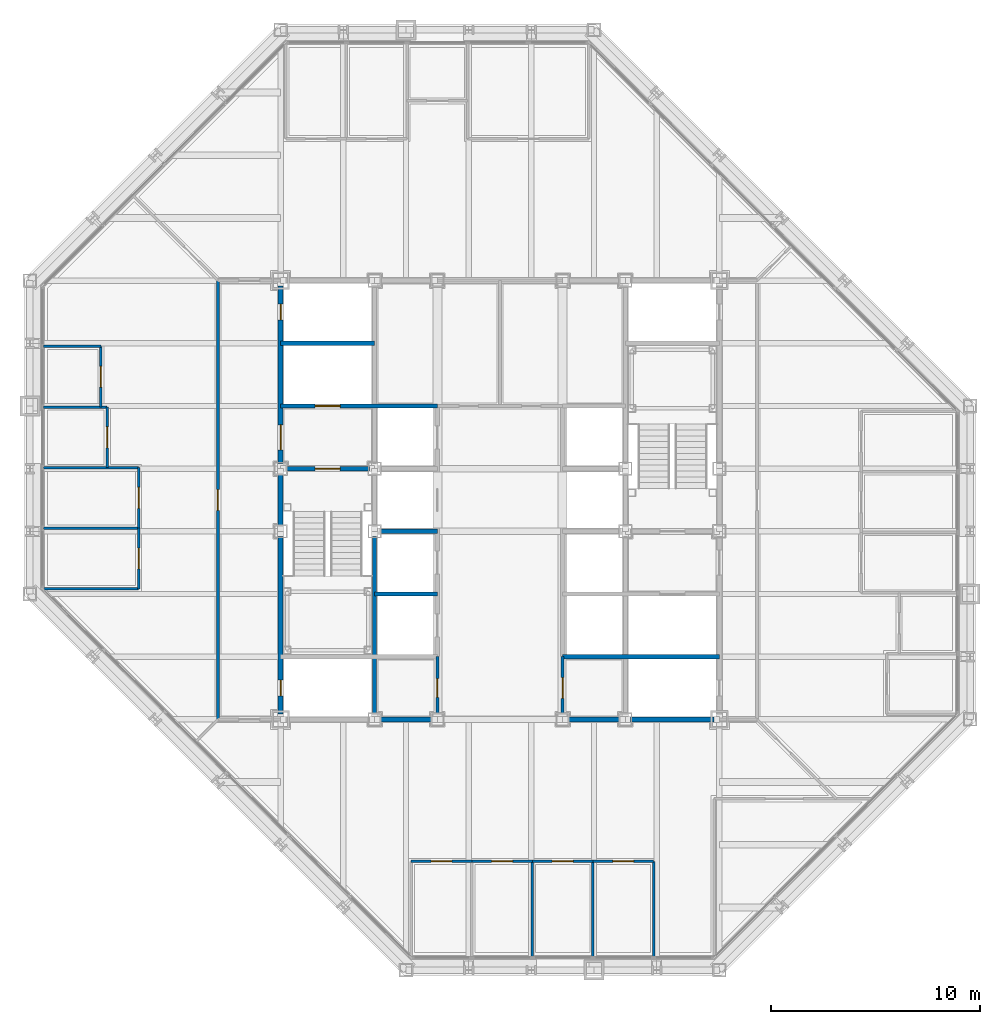
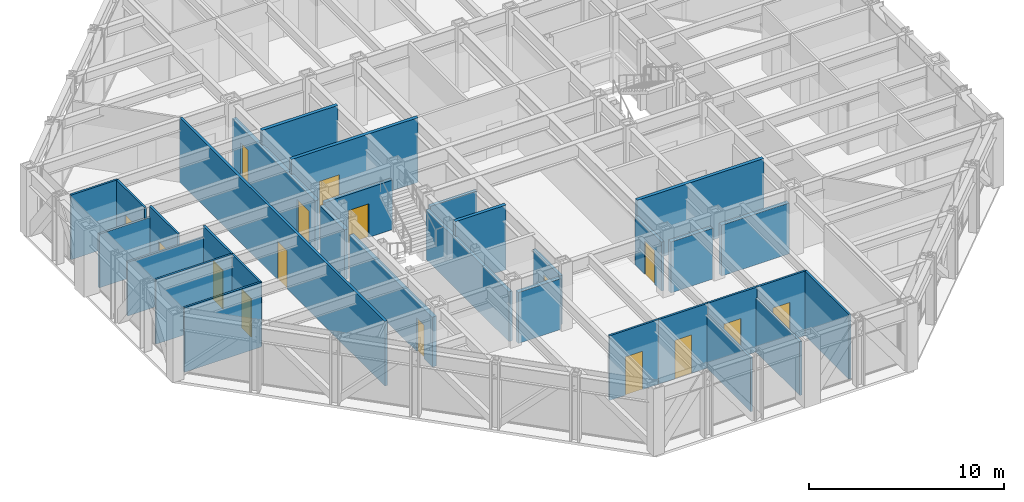
# One storey, part 10 of 15: 32 walls, 16 doors, 16 openings.
"""IFC4 building model written with IfcOpenShell, lengths in metres."""

from ifc_helpers import new_model, si_unit, direction, frame, frame_2d, origin, place, context, subcontext, project, spatial, rectangle, extrude, material, layer, layer_set, type_object, element, fill, save


model = new_model("IFC4")

# Units and contexts
model_context = context("Model", 3, precision=1e-05, world=origin(), true_north=direction((0.0, 1.0)))
body_context = subcontext(model_context, "Body", "Model", "MODEL_VIEW")
ifc_project = project(units=[si_unit("LENGTHUNIT", "METRE"), si_unit("AREAUNIT", "SQUARE_METRE"), si_unit("VOLUMEUNIT", "CUBIC_METRE"), si_unit("PLANEANGLEUNIT", "RADIAN"), si_unit("MASSUNIT", "GRAM", prefix="KILO")], contexts=[model_context])

# Site, building, storey
site_placement = place(None, origin())
site = spatial("IfcSite", under=ifc_project, at=site_placement, CompositionType="ELEMENT")
building_placement = place(site_placement, origin())
building = spatial("IfcBuilding", under=site, at=building_placement, Name="Chuquiago Exchange Tower", CompositionType="ELEMENT")
storey_placement = place(building_placement, frame((0.0, 0.0, 188.699951171875)))
storey = spatial("IfcBuildingStorey", under=building, at=storey_placement, Name="L41", CompositionType="ELEMENT", Elevation=188.699951171875)

# Wall, opening, door
ifc_material_1 = material(Name="Concrete masonry, fully grouted", Category="masonry")
ifc_layer_1 = layer(ifc_material_1, 0.25)
ifc_layer_set_1 = layer_set([ifc_layer_1], Name="W1 core wall 250")
wall_type_1 = type_object("IfcWallType", Name="W1 core wall 250", PredefinedType="SOLIDWALL", material=ifc_layer_set_1)
wall_1_placement = place(storey_placement, frame((12.0, 12.25, 0.0), z_axis=(0.0, 0.0, 1.0), x_axis=(0.0, 1.0, 0.0)))
wall_1 = element("IfcWall", 1, at=wall_1_placement, inside=storey, type_object=wall_type_1, Name="CW-L41-00-0", PredefinedType="SOLIDWALL", context=body_context, shape_type="SweptSolid", body=[
    extrude(rectangle(XDim=8.5, YDim=0.25, at=frame_2d((4.25, 0.0))), origin(), (0.0, 0.0, 1.0), 3.113037109375),
])
opening_1_placement = place(wall_1_placement, frame((0.875, 0.0, 0.0)))
opening_1 = element("IfcOpeningElement", 2, at=opening_1_placement, cuts=wall_1, Name="Opening L41-007", PredefinedType="OPENING", context=body_context, shape_type="SweptSolid", body=[
    extrude(rectangle(XDim=0.75, YDim=2.10009765625, at=frame_2d((0.375, 1.050048828125))), frame((0.0, 0.135009765625, 0.0), z_axis=(0.0, -1.0, 0.0), x_axis=(1.0, 0.0, 0.0)), (0.0, 0.0, 1.0), 0.27001953125),
])
ifc_material_2 = material(Name="Steel door, painted", Category="steel")
door_type_1 = type_object("IfcDoorType", Name="D6 riser access door 750x2100", OperationType="SINGLE_SWING_LEFT", PredefinedType="DOOR", material=ifc_material_2)
door_1_placement = place(opening_1_placement, origin())
door_1 = element("IfcDoor", 3, at=door_1_placement, inside=storey, type_object=door_type_1, Name="Riser RW1 door", OperationType="SINGLE_SWING_LEFT", OverallHeight=2.10009765625, OverallWidth=0.75, PredefinedType="DOOR", context=body_context, shape_type="SweptSolid", body=[
    extrude(rectangle(XDim=0.75, YDim=2.10009765625, at=frame_2d((0.375, 1.050048828125))), frame((0.0, 0.02490234375, 0.0), z_axis=(0.0, -1.0, 0.0), x_axis=(1.0, 0.0, 0.0)), (0.0, 0.0, 1.0), 0.050048828125),
])
fill(opening_1, door_1)

# Wall
wall_2_placement = place(storey_placement, frame((12.0, 21.25, 0.0), z_axis=(0.0, 0.0, 1.0), x_axis=(0.0, 1.0, 0.0)))
element("IfcWall", 4, at=wall_2_placement, inside=storey, type_object=wall_type_1, Name="CW-L41-00-1", PredefinedType="SOLIDWALL", context=body_context, shape_type="SweptSolid", body=[
    extrude(rectangle(XDim=2.5, YDim=0.25, at=frame_2d((1.25, 0.0))), origin(), (0.0, 0.0, 1.0), 3.113037109375),
])

# Wall, openings, doors
wall_3_placement = place(storey_placement, frame((12.0, 24.25, 0.0), z_axis=(0.0, 0.0, 1.0), x_axis=(0.0, 1.0, 0.0)))
wall_3 = element("IfcWall", 5, at=wall_3_placement, inside=storey, type_object=wall_type_1, Name="CW-L41-00-2", PredefinedType="SOLIDWALL", context=body_context, shape_type="SweptSolid", body=[
    extrude(rectangle(XDim=8.5, YDim=0.25, at=frame_2d((4.25, 0.0))), origin(), (0.0, 0.0, 1.0), 3.113037109375),
])
opening_2_placement = place(wall_3_placement, frame((0.64990234375, 0.0, 0.0)))
opening_2 = element("IfcOpeningElement", 6, at=opening_2_placement, cuts=wall_3, Name="Opening L41-002", PredefinedType="OPENING", context=body_context, shape_type="SweptSolid", body=[
    extrude(rectangle(XDim=1.199951171875, YDim=2.10009765625, at=frame_2d((0.60009765625, 1.050048828125))), frame((0.0, 0.135009765625, 0.0), z_axis=(0.0, -1.0, 0.0), x_axis=(1.0, 0.0, 0.0)), (0.0, 0.0, 1.0), 0.27001953125),
])
opening_3_placement = place(wall_3_placement, frame((6.875, 0.0, 0.0)))
opening_3 = element("IfcOpeningElement", 7, at=opening_3_placement, cuts=wall_3, Name="Opening L41-008", PredefinedType="OPENING", context=body_context, shape_type="SweptSolid", body=[
    extrude(rectangle(XDim=0.75, YDim=2.10009765625, at=frame_2d((0.375, 1.050048828125))), frame((0.0, 0.135009765625, 0.0), z_axis=(0.0, -1.0, 0.0), x_axis=(1.0, 0.0, 0.0)), (0.0, 0.0, 1.0), 0.27001953125),
])
ifc_material_3 = material(Name="Steel door, painted", Category="steel")
door_type_2 = type_object("IfcDoorType", Name="D5 firefighting lobby door 1200x2100", OperationType="SINGLE_SWING_LEFT", PredefinedType="DOOR", material=ifc_material_3)
door_2_placement = place(opening_2_placement, frame((1.199951171875, 0.0, 0.0), z_axis=(0.0, 0.0, 1.0), x_axis=(-1.0, 0.0, 0.0)))
door_2 = element("IfcDoor", 8, at=door_2_placement, inside=storey, type_object=door_type_2, Name="Firefighting lobby 1 door", OperationType="SINGLE_SWING_RIGHT", OverallHeight=2.10009765625, OverallWidth=1.199951171875, PredefinedType="DOOR", context=body_context, shape_type="SweptSolid", body=[
    extrude(rectangle(XDim=1.199951171875, YDim=2.10009765625, at=frame_2d((0.60009765625, 1.050048828125))), frame((0.0, 0.02490234375, 0.0), z_axis=(0.0, -1.0, 0.0), x_axis=(1.0, 0.0, 0.0)), (0.0, 0.0, 1.0), 0.050048828125),
])
fill(opening_2, door_2)
door_3_placement = place(opening_3_placement, origin())
door_3 = element("IfcDoor", 9, at=door_3_placement, inside=storey, type_object=door_type_1, Name="Riser RW2 door", OperationType="SINGLE_SWING_RIGHT", OverallHeight=2.10009765625, OverallWidth=0.75, PredefinedType="DOOR", context=body_context, shape_type="SweptSolid", body=[
    extrude(rectangle(XDim=0.75, YDim=2.10009765625, at=frame_2d((0.375, 1.050048828125))), frame((0.0, 0.02490234375, 0.0), z_axis=(0.0, -1.0, 0.0), x_axis=(1.0, 0.0, 0.0)), (0.0, 0.0, 1.0), 0.050048828125),
])
fill(opening_3, door_3)

# Walls
for number, where, z_axis, x_axis, name in (
    (10, (16.75, 12.0, 0.0), (0.0, 0.0, 1.0), (1.0, 0.0, 0.0), "CW-L41-01-1"),
    (11, (25.75, 12.0, 0.0), (0.0, 0.0, 1.0), (1.0, 0.0, 0.0), "CW-L41-02-0"),
):
    element("IfcWall", number, at=place(storey_placement, frame(where, z_axis=z_axis, x_axis=x_axis)), inside=storey, type_object=wall_type_1, Name=name, PredefinedType="SOLIDWALL", context=body_context, shape_type="SweptSolid", body=[
        extrude(rectangle(XDim=2.5, YDim=0.25, at=frame_2d((1.25, 0.0))), origin(), (0.0, 0.0, 1.0), 3.181640625),
    ])
wall_4_placement = place(storey_placement, frame((28.75, 12.0, 0.0), z_axis=(0.0, 0.0, 1.0), x_axis=(1.0, 0.0, 0.0)))
element("IfcWall", 12, at=wall_4_placement, inside=storey, type_object=wall_type_1, Name="CW-L41-02-1", PredefinedType="SOLIDWALL", context=body_context, shape_type="SweptSolid", body=[
    extrude(rectangle(XDim=4.0, YDim=0.25, at=frame_2d((2.0, 0.0))), origin(), (0.0, 0.0, 1.0), 3.181640625),
])

# Wall, opening, door
ifc_material_4 = material(Name="Gypsum board on steel studs, acoustic insulation", Category="steel")
ifc_layer_2 = layer(ifc_material_4, 0.14990234375)
ifc_layer_set_2 = layer_set([ifc_layer_2], Name="W11 corridor wall 150")
wall_type_2 = type_object("IfcWallType", Name="W11 corridor wall 150", PredefinedType="PARTITIONING", material=ifc_layer_set_2)
wall_5_placement = place(storey_placement, frame((9.0, 12.0, 0.0), z_axis=(0.0, 0.0, 1.0), x_axis=(0.0, 1.0, 0.0)))
wall_5 = element("IfcWall", 13, at=wall_5_placement, inside=storey, type_object=wall_type_2, Name="PW-L41-GW0", PredefinedType="PARTITIONING", context=body_context, shape_type="SweptSolid", body=[
    extrude(rectangle(XDim=21.0, YDim=0.14990234375, at=frame_2d((10.5, 0.0))), origin(), (0.0, 0.0, 1.0), 4.0400390625),
])
opening_4_placement = place(wall_5_placement, frame((10.0, 0.0, 0.0)))
opening_4 = element("IfcOpeningElement", 14, at=opening_4_placement, cuts=wall_5, Name="Opening L41-037", PredefinedType="OPENING", context=body_context, shape_type="SweptSolid", body=[
    extrude(rectangle(XDim=1.0, YDim=2.39990234375, at=frame_2d((0.5, 1.199951171875))), frame((0.0, 0.0849609375, 0.0), z_axis=(0.0, -1.0, 0.0), x_axis=(1.0, 0.0, 0.0)), (0.0, 0.0, 1.0), 0.169921875),
])
ifc_material_5 = material(Name="Timber door, laminate faced", Category="wood")
door_type_3 = type_object("IfcDoorType", Name="D9 room door 1000x2400", OperationType="SINGLE_SWING_LEFT", PredefinedType="DOOR", material=ifc_material_5)
door_4_placement = place(opening_4_placement, origin())
door_4 = element("IfcDoor", 15, at=door_4_placement, inside=storey, type_object=door_type_3, Name="Team area door", OperationType="SINGLE_SWING_LEFT", OverallHeight=2.39990234375, OverallWidth=1.0, PredefinedType="DOOR", context=body_context, shape_type="SweptSolid", body=[
    extrude(rectangle(XDim=1.0, YDim=2.39990234375, at=frame_2d((0.5, 1.199951171875))), frame((0.0, 0.02490234375, 0.0), z_axis=(0.0, -1.0, 0.0), x_axis=(1.0, 0.0, 0.0)), (0.0, 0.0, 1.0), 0.050048828125),
])
fill(opening_4, door_4)

# Wall
ifc_material_6 = material(Name="Concrete masonry, fully grouted", Category="masonry")
ifc_layer_3 = layer(ifc_material_6, 0.199951171875)
ifc_layer_set_3 = layer_set([ifc_layer_3], Name="W2 shaft wall 200")
wall_type_3 = type_object("IfcWallType", Name="W2 shaft wall 200", PredefinedType="SOLIDWALL", material=ifc_layer_set_3)
wall_6_placement = place(storey_placement, frame((25.5, 15.0, 0.0), z_axis=(0.0, 0.0, 1.0), x_axis=(1.0, 0.0, 0.0)))
element("IfcWall", 16, at=wall_6_placement, inside=storey, type_object=wall_type_3, Name="CW-L41-04-0", PredefinedType="SOLIDWALL", context=body_context, shape_type="SweptSolid", body=[
    extrude(rectangle(XDim=7.5, YDim=0.199951171875, at=frame_2d((3.75, 0.0))), origin(), (0.0, 0.0, 1.0), 4.0400390625),
])

# Wall, opening, door
wall_7_placement = place(storey_placement, frame((12.25, 24.0, 0.0), z_axis=(0.0, 0.0, 1.0), x_axis=(1.0, 0.0, 0.0)))
wall_7 = element("IfcWall", 17, at=wall_7_placement, inside=storey, type_object=wall_type_3, Name="CW-L41-05-0", PredefinedType="SOLIDWALL", context=body_context, shape_type="SweptSolid", body=[
    extrude(rectangle(XDim=4.0, YDim=0.199951171875, at=frame_2d((2.0, 0.0))), origin(), (0.0, 0.0, 1.0), 3.090087890625),
])
opening_5_placement = place(wall_7_placement, frame((1.39990234375, 0.0, 0.0)))
opening_5 = element("IfcOpeningElement", 18, at=opening_5_placement, cuts=wall_7, Name="Opening L41-001", PredefinedType="OPENING", context=body_context, shape_type="SweptSolid", body=[
    extrude(rectangle(XDim=1.199951171875, YDim=2.10009765625, at=frame_2d((0.60009765625, 1.050048828125))), frame((0.0, 0.10986328125, 0.0), z_axis=(0.0, -1.0, 0.0), x_axis=(1.0, 0.0, 0.0)), (0.0, 0.0, 1.0), 0.219970703125),
])
ifc_material_7 = material(Name="Steel door, painted", Category="steel")
door_type_4 = type_object("IfcDoorType", Name="D4 stair door 1200x2100", OperationType="SINGLE_SWING_LEFT", PredefinedType="DOOR", material=ifc_material_7)
door_5_placement = place(opening_5_placement, frame((1.199951171875, 0.0, 0.0), z_axis=(0.0, 0.0, 1.0), x_axis=(-1.0, 0.0, 0.0)))
door_5 = element("IfcDoor", 19, at=door_5_placement, inside=storey, type_object=door_type_4, Name="Stair ST1 door", OperationType="SINGLE_SWING_RIGHT", OverallHeight=2.10009765625, OverallWidth=1.199951171875, PredefinedType="DOOR", context=body_context, shape_type="SweptSolid", body=[
    extrude(rectangle(XDim=1.199951171875, YDim=2.10009765625, at=frame_2d((0.60009765625, 1.050048828125))), frame((0.0, 0.02490234375, 0.0), z_axis=(0.0, -1.0, 0.0), x_axis=(1.0, 0.0, 0.0)), (0.0, 0.0, 1.0), 0.050048828125),
])
fill(opening_5, door_5)

wall_8_placement = place(storey_placement, frame((12.0, 27.0, 0.0), z_axis=(0.0, 0.0, 1.0), x_axis=(1.0, 0.0, 0.0)))
wall_8 = element("IfcWall", 20, at=wall_8_placement, inside=storey, type_object=wall_type_3, Name="CW-L41-07-0", PredefinedType="SOLIDWALL", context=body_context, shape_type="SweptSolid", body=[
    extrude(rectangle(XDim=7.5, YDim=0.199951171875, at=frame_2d((3.75, 0.0))), origin(), (0.0, 0.0, 1.0), 4.0400390625),
])
opening_6_placement = place(wall_8_placement, frame((1.64990234375, 0.0, 0.0)))
opening_6 = element("IfcOpeningElement", 21, at=opening_6_placement, cuts=wall_8, Name="Opening L41-005", PredefinedType="OPENING", context=body_context, shape_type="SweptSolid", body=[
    extrude(rectangle(XDim=1.199951171875, YDim=2.10009765625, at=frame_2d((0.60009765625, 1.050048828125))), frame((0.0, 0.10986328125, 0.0), z_axis=(0.0, -1.0, 0.0), x_axis=(1.0, 0.0, 0.0)), (0.0, 0.0, 1.0), 0.219970703125),
])
ifc_material_8 = material(Name="Stainless steel lift landing door", Category="steel")
door_type_5 = type_object("IfcDoorType", Name="LD2 firefighting lift landing door 1200x2100", OperationType="DOUBLE_DOOR_SLIDING", PredefinedType="DOOR", material=ifc_material_8)
door_6_placement = place(opening_6_placement, origin())
door_6 = element("IfcDoor", 22, at=door_6_placement, inside=storey, type_object=door_type_5, Name="Firefighting lift FL1 landing door", OperationType="DOUBLE_DOOR_SLIDING", OverallHeight=2.10009765625, OverallWidth=1.199951171875, PredefinedType="DOOR", context=body_context, shape_type="SweptSolid", body=[
    extrude(rectangle(XDim=1.199951171875, YDim=2.10009765625, at=frame_2d((0.60009765625, 1.050048828125))), frame((0.0, 0.02490234375, 0.0), z_axis=(0.0, -1.0, 0.0), x_axis=(1.0, 0.0, 0.0)), (0.0, 0.0, 1.0), 0.050048828125),
])
fill(opening_6, door_6)

# Walls
wall_9_placement = place(storey_placement, frame((12.0, 30.0, 0.0), z_axis=(0.0, 0.0, 1.0), x_axis=(1.0, 0.0, 0.0)))
element("IfcWall", 23, at=wall_9_placement, inside=storey, type_object=wall_type_3, Name="CW-L41-09-0", PredefinedType="SOLIDWALL", context=body_context, shape_type="SweptSolid", body=[
    extrude(rectangle(XDim=4.5, YDim=0.199951171875, at=frame_2d((2.25, 0.0))), origin(), (0.0, 0.0, 1.0), 4.0400390625),
])
wall_10_placement = place(storey_placement, frame((16.5, 12.25, 0.0), z_axis=(0.0, 0.0, 1.0), x_axis=(0.0, 1.0, 0.0)))
element("IfcWall", 24, at=wall_10_placement, inside=storey, type_object=wall_type_3, Name="CW-L41-13-0", PredefinedType="SOLIDWALL", context=body_context, shape_type="SweptSolid", body=[
    extrude(rectangle(XDim=8.5, YDim=0.199951171875, at=frame_2d((4.25, 0.0))), origin(), (0.0, 0.0, 1.0), 3.113037109375),
])
wall_11_placement = place(storey_placement, frame((16.5, 18.0, 0.0), z_axis=(0.0, 0.0, 1.0), x_axis=(1.0, 0.0, 0.0)))
element("IfcWall", 25, at=wall_11_placement, inside=storey, type_object=wall_type_3, Name="CW-L41-14-0", PredefinedType="SOLIDWALL", context=body_context, shape_type="SweptSolid", body=[
    extrude(rectangle(XDim=3.0, YDim=0.199951171875, at=frame_2d((1.5, 0.0))), origin(), (0.0, 0.0, 1.0), 4.0400390625),
])
wall_12_placement = place(storey_placement, frame((16.75, 21.0, 0.0), z_axis=(0.0, 0.0, 1.0), x_axis=(1.0, 0.0, 0.0)))
element("IfcWall", 26, at=wall_12_placement, inside=storey, type_object=wall_type_3, Name="CW-L41-16-0", PredefinedType="SOLIDWALL", context=body_context, shape_type="SweptSolid", body=[
    extrude(rectangle(XDim=2.75, YDim=0.199951171875, at=frame_2d((1.375, 0.0))), origin(), (0.0, 0.0, 1.0), 3.090087890625),
])

# Wall, opening, door
ifc_material_9 = material(Name="Gypsum board on steel studs", Category="steel")
ifc_layer_4 = layer(ifc_material_9, 0.14990234375)
ifc_layer_set_4 = layer_set([ifc_layer_4], Name="W3 core partition 150")
wall_type_4 = type_object("IfcWallType", Name="W3 core partition 150", PredefinedType="PARTITIONING", material=ifc_layer_set_4)
wall_13_placement = place(storey_placement, frame((19.5, 12.25, 0.0), z_axis=(0.0, 0.0, 1.0), x_axis=(0.0, 1.0, 0.0)))
wall_13 = element("IfcWall", 27, at=wall_13_placement, inside=storey, type_object=wall_type_4, Name="CW-L41-18-0", PredefinedType="PARTITIONING", context=body_context, shape_type="SweptSolid", body=[
    extrude(rectangle(XDim=2.75, YDim=0.14990234375, at=frame_2d((1.375, 0.0))), origin(), (0.0, 0.0, 1.0), 3.064697265625),
])
opening_7_placement = place(wall_13_placement, frame((0.800048828125, 0.0, 0.0)))
opening_7 = element("IfcOpeningElement", 28, at=opening_7_placement, cuts=wall_13, Name="Opening L41-014", PredefinedType="OPENING", context=body_context, shape_type="SweptSolid", body=[
    extrude(rectangle(XDim=0.89990234375, YDim=2.10009765625, at=frame_2d((0.449951171875, 1.050048828125))), frame((0.0, 0.0849609375, 0.0), z_axis=(0.0, -1.0, 0.0), x_axis=(1.0, 0.0, 0.0)), (0.0, 0.0, 1.0), 0.169921875),
])
ifc_material_10 = material(Name="Timber door, laminate faced", Category="wood")
door_type_6 = type_object("IfcDoorType", Name="D7 toilet door 900x2100", OperationType="SINGLE_SWING_LEFT", PredefinedType="DOOR", material=ifc_material_10)
door_7_placement = place(opening_7_placement, frame((0.89990234375, 0.0, 0.0), z_axis=(0.0, 0.0, 1.0), x_axis=(-1.0, 0.0, 0.0)))
door_7 = element("IfcDoor", 29, at=door_7_placement, inside=storey, type_object=door_type_6, Name="Cleaner door", OperationType="SINGLE_SWING_RIGHT", OverallHeight=2.10009765625, OverallWidth=0.89990234375, PredefinedType="DOOR", context=body_context, shape_type="SweptSolid", body=[
    extrude(rectangle(XDim=0.89990234375, YDim=2.10009765625, at=frame_2d((0.449951171875, 1.050048828125))), frame((0.0, 0.02490234375, 0.0), z_axis=(0.0, -1.0, 0.0), x_axis=(1.0, 0.0, 0.0)), (0.0, 0.0, 1.0), 0.050048828125),
])
fill(opening_7, door_7)

wall_14_placement = place(storey_placement, frame((25.5, 12.25, 0.0), z_axis=(0.0, 0.0, 1.0), x_axis=(0.0, 1.0, 0.0)))
wall_14 = element("IfcWall", 30, at=wall_14_placement, inside=storey, type_object=wall_type_4, Name="CW-L41-21-0", PredefinedType="PARTITIONING", context=body_context, shape_type="SweptSolid", body=[
    extrude(rectangle(XDim=2.75, YDim=0.14990234375, at=frame_2d((1.375, 0.0))), origin(), (0.0, 0.0, 1.0), 3.064697265625),
])
opening_8_placement = place(wall_14_placement, frame((0.75, 0.0, 0.0)))
opening_8 = element("IfcOpeningElement", 31, at=opening_8_placement, cuts=wall_14, Name="Opening L41-013", PredefinedType="OPENING", context=body_context, shape_type="SweptSolid", body=[
    extrude(rectangle(XDim=1.0, YDim=2.10009765625, at=frame_2d((0.5, 1.050048828125))), frame((0.0, 0.0849609375, 0.0), z_axis=(0.0, -1.0, 0.0), x_axis=(1.0, 0.0, 0.0)), (0.0, 0.0, 1.0), 0.169921875),
])
ifc_material_11 = material(Name="Timber door, laminate faced", Category="wood")
door_type_7 = type_object("IfcDoorType", Name="D8 accessible toilet door 1000x2100", OperationType="SLIDING_TO_LEFT", PredefinedType="DOOR", material=ifc_material_11)
door_8_placement = place(opening_8_placement, origin())
door_8 = element("IfcDoor", 32, at=door_8_placement, inside=storey, type_object=door_type_7, Name="Accessible WC door", OperationType="SLIDING_TO_LEFT", OverallHeight=2.10009765625, OverallWidth=1.0, PredefinedType="DOOR", context=body_context, shape_type="SweptSolid", body=[
    extrude(rectangle(XDim=1.0, YDim=2.10009765625, at=frame_2d((0.5, 1.050048828125))), frame((0.0, 0.02490234375, 0.0), z_axis=(0.0, -1.0, 0.0), x_axis=(1.0, 0.0, 0.0)), (0.0, 0.0, 1.0), 0.050048828125),
])
fill(opening_8, door_8)

# Walls
ifc_material_12 = material(Name="Gypsum board on steel studs", Category="steel")
ifc_layer_5 = layer(ifc_material_12, 0.1201171875)
ifc_layer_set_5 = layer_set([ifc_layer_5], Name="W4 partition 120")
wall_type_5 = type_object("IfcWallType", Name="W4 partition 120", PredefinedType="PARTITIONING", material=ifc_layer_set_5)
for number, where, z_axis, x_axis, name in (
    (33, (24.0498046875, 0.652587890625, 0.0), (0.0, 0.0, 1.0), (0.0, 1.0, 0.0), "PW-L41-S02405"),
    (34, (26.9501953125, 0.652587890625, 0.0), (0.0, 0.0, 1.0), (0.0, 1.0, 0.0), "PW-L41-S02695"),
):
    element("IfcWall", number, at=place(storey_placement, frame(where, z_axis=z_axis, x_axis=x_axis)), inside=storey, type_object=wall_type_5, Name=name, PredefinedType="PARTITIONING", context=body_context, shape_type="SweptSolid", body=[
        extrude(rectangle(XDim=4.54736328125, YDim=0.1201171875, at=frame_2d((2.273681640625, 0.0))), origin(), (0.0, 0.0, 1.0), 3.35693359375),
    ])
wall_15_placement = place(storey_placement, frame((29.850830078125, 0.652587890625, 0.0), z_axis=(0.0, 0.0, 1.0), x_axis=(0.0, 1.0, 0.0)))
element("IfcWall", 35, at=wall_15_placement, inside=storey, type_object=wall_type_5, Name="PW-L41-S02985", PredefinedType="PARTITIONING", context=body_context, shape_type="SweptSolid", body=[
    extrude(rectangle(XDim=4.54736328125, YDim=0.1201171875, at=frame_2d((2.273681640625, 0.0))), origin(), (0.0, 0.0, 1.0), 4.0400390625),
])

# Wall, opening, door
wall_16_placement = place(storey_placement, frame((18.24853515625, 5.199951171875, 0.0), z_axis=(0.0, 0.0, 1.0), x_axis=(1.0, 0.0, 0.0)))
wall_16 = element("IfcWall", 36, at=wall_16_placement, inside=storey, type_object=wall_type_5, Name="PW-L41-SF01825", PredefinedType="PARTITIONING", context=body_context, shape_type="SweptSolid", body=[
    extrude(rectangle(XDim=2.900634765625, YDim=0.1201171875, at=frame_2d((1.4501953125, 0.0))), origin(), (0.0, 0.0, 1.0), 4.0400390625),
])
opening_9_placement = place(wall_16_placement, frame((0.9501953125, 0.0, 0.0)))
opening_9 = element("IfcOpeningElement", 37, at=opening_9_placement, cuts=wall_16, Name="Opening L41-019", PredefinedType="OPENING", context=body_context, shape_type="SweptSolid", body=[
    extrude(rectangle(XDim=1.0, YDim=2.39990234375, at=frame_2d((0.5, 1.199951171875))), frame((0.0, 0.070068359375, 0.0), z_axis=(0.0, -1.0, 0.0), x_axis=(1.0, 0.0, 0.0)), (0.0, 0.0, 1.0), 0.14013671875),
])
door_9_placement = place(opening_9_placement, frame((1.0, 0.0, 0.0), z_axis=(0.0, 0.0, 1.0), x_axis=(-1.0, 0.0, 0.0)))
door_9 = element("IfcDoor", 38, at=door_9_placement, inside=storey, type_object=door_type_3, Name="Office door", OperationType="SINGLE_SWING_RIGHT", OverallHeight=2.39990234375, OverallWidth=1.0, PredefinedType="DOOR", context=body_context, shape_type="SweptSolid", body=[
    extrude(rectangle(XDim=1.0, YDim=2.39990234375, at=frame_2d((0.5, 1.199951171875))), frame((0.0, 0.02490234375, 0.0), z_axis=(0.0, -1.0, 0.0), x_axis=(1.0, 0.0, 0.0)), (0.0, 0.0, 1.0), 0.050048828125),
])
fill(opening_9, door_9)

wall_17_placement = place(storey_placement, frame((21.149169921875, 5.199951171875, 0.0), z_axis=(0.0, 0.0, 1.0), x_axis=(1.0, 0.0, 0.0)))
wall_17 = element("IfcWall", 39, at=wall_17_placement, inside=storey, type_object=wall_type_5, Name="PW-L41-SF02115", PredefinedType="PARTITIONING", context=body_context, shape_type="SweptSolid", body=[
    extrude(rectangle(XDim=2.900634765625, YDim=0.1201171875, at=frame_2d((1.4501953125, 0.0))), origin(), (0.0, 0.0, 1.0), 4.0400390625),
])
opening_10_placement = place(wall_17_placement, frame((0.9501953125, 0.0, 0.0)))
opening_10 = element("IfcOpeningElement", 40, at=opening_10_placement, cuts=wall_17, Name="Opening L41-020", PredefinedType="OPENING", context=body_context, shape_type="SweptSolid", body=[
    extrude(rectangle(XDim=1.0, YDim=2.39990234375, at=frame_2d((0.5, 1.199951171875))), frame((0.0, 0.070068359375, 0.0), z_axis=(0.0, -1.0, 0.0), x_axis=(1.0, 0.0, 0.0)), (0.0, 0.0, 1.0), 0.14013671875),
])
door_10_placement = place(opening_10_placement, frame((1.0, 0.0, 0.0), z_axis=(0.0, 0.0, 1.0), x_axis=(-1.0, 0.0, 0.0)))
door_10 = element("IfcDoor", 41, at=door_10_placement, inside=storey, type_object=door_type_3, Name="Office door", OperationType="SINGLE_SWING_RIGHT", OverallHeight=2.39990234375, OverallWidth=1.0, PredefinedType="DOOR", context=body_context, shape_type="SweptSolid", body=[
    extrude(rectangle(XDim=1.0, YDim=2.39990234375, at=frame_2d((0.5, 1.199951171875))), frame((0.0, 0.02490234375, 0.0), z_axis=(0.0, -1.0, 0.0), x_axis=(1.0, 0.0, 0.0)), (0.0, 0.0, 1.0), 0.050048828125),
])
fill(opening_10, door_10)

wall_18_placement = place(storey_placement, frame((24.0498046875, 5.199951171875, 0.0), z_axis=(0.0, 0.0, 1.0), x_axis=(1.0, 0.0, 0.0)))
wall_18 = element("IfcWall", 42, at=wall_18_placement, inside=storey, type_object=wall_type_5, Name="PW-L41-SF02405", PredefinedType="PARTITIONING", context=body_context, shape_type="SweptSolid", body=[
    extrude(rectangle(XDim=2.900390625, YDim=0.1201171875, at=frame_2d((1.4501953125, 0.0))), origin(), (0.0, 0.0, 1.0), 4.0400390625),
])
opening_11_placement = place(wall_18_placement, frame((0.9501953125, 0.0, 0.0)))
opening_11 = element("IfcOpeningElement", 43, at=opening_11_placement, cuts=wall_18, Name="Opening L41-021", PredefinedType="OPENING", context=body_context, shape_type="SweptSolid", body=[
    extrude(rectangle(XDim=1.0, YDim=2.39990234375, at=frame_2d((0.5, 1.199951171875))), frame((0.0, 0.070068359375, 0.0), z_axis=(0.0, -1.0, 0.0), x_axis=(1.0, 0.0, 0.0)), (0.0, 0.0, 1.0), 0.14013671875),
])
door_11_placement = place(opening_11_placement, frame((1.0, 0.0, 0.0), z_axis=(0.0, 0.0, 1.0), x_axis=(-1.0, 0.0, 0.0)))
door_11 = element("IfcDoor", 44, at=door_11_placement, inside=storey, type_object=door_type_3, Name="Office door", OperationType="SINGLE_SWING_LEFT", OverallHeight=2.39990234375, OverallWidth=1.0, PredefinedType="DOOR", context=body_context, shape_type="SweptSolid", body=[
    extrude(rectangle(XDim=1.0, YDim=2.39990234375, at=frame_2d((0.5, 1.199951171875))), frame((0.0, 0.02490234375, 0.0), z_axis=(0.0, -1.0, 0.0), x_axis=(1.0, 0.0, 0.0)), (0.0, 0.0, 1.0), 0.050048828125),
])
fill(opening_11, door_11)

wall_19_placement = place(storey_placement, frame((26.9501953125, 5.199951171875, 0.0), z_axis=(0.0, 0.0, 1.0), x_axis=(1.0, 0.0, 0.0)))
wall_19 = element("IfcWall", 45, at=wall_19_placement, inside=storey, type_object=wall_type_5, Name="PW-L41-SF02695", PredefinedType="PARTITIONING", context=body_context, shape_type="SweptSolid", body=[
    extrude(rectangle(XDim=2.900634765625, YDim=0.1201171875, at=frame_2d((1.4501953125, 0.0))), origin(), (0.0, 0.0, 1.0), 4.0400390625),
])
opening_12_placement = place(wall_19_placement, frame((0.9501953125, 0.0, 0.0)))
opening_12 = element("IfcOpeningElement", 46, at=opening_12_placement, cuts=wall_19, Name="Opening L41-022", PredefinedType="OPENING", context=body_context, shape_type="SweptSolid", body=[
    extrude(rectangle(XDim=1.0, YDim=2.39990234375, at=frame_2d((0.5, 1.199951171875))), frame((0.0, 0.070068359375, 0.0), z_axis=(0.0, -1.0, 0.0), x_axis=(1.0, 0.0, 0.0)), (0.0, 0.0, 1.0), 0.14013671875),
])
door_12_placement = place(opening_12_placement, frame((1.0, 0.0, 0.0), z_axis=(0.0, 0.0, 1.0), x_axis=(-1.0, 0.0, 0.0)))
door_12 = element("IfcDoor", 47, at=door_12_placement, inside=storey, type_object=door_type_3, Name="Office door", OperationType="SINGLE_SWING_RIGHT", OverallHeight=2.39990234375, OverallWidth=1.0, PredefinedType="DOOR", context=body_context, shape_type="SweptSolid", body=[
    extrude(rectangle(XDim=1.0, YDim=2.39990234375, at=frame_2d((0.5, 1.199951171875))), frame((0.0, 0.02490234375, 0.0), z_axis=(0.0, -1.0, 0.0), x_axis=(1.0, 0.0, 0.0)), (0.0, 0.0, 1.0), 0.050048828125),
])
fill(opening_12, door_12)

# Walls
wall_20_placement = place(storey_placement, frame((0.666015625, 18.24853515625, 0.0), z_axis=(0.0, 0.0, 1.0), x_axis=(1.0, 0.0, 0.0)))
element("IfcWall", 48, at=wall_20_placement, inside=storey, type_object=wall_type_5, Name="PW-L41-W01825", PredefinedType="PARTITIONING", context=body_context, shape_type="SweptSolid", body=[
    extrude(rectangle(XDim=4.533935546875, YDim=0.1201171875, at=frame_2d((2.26708984375, 0.0))), origin(), (0.0, 0.0, 1.0), 4.0400390625),
])
wall_21_placement = place(storey_placement, frame((0.652587890625, 21.149169921875, 0.0), z_axis=(0.0, 0.0, 1.0), x_axis=(1.0, 0.0, 0.0)))
element("IfcWall", 49, at=wall_21_placement, inside=storey, type_object=wall_type_5, Name="PW-L41-W02115", PredefinedType="PARTITIONING", context=body_context, shape_type="SweptSolid", body=[
    extrude(rectangle(XDim=4.54736328125, YDim=0.1201171875, at=frame_2d((2.273681640625, 0.0))), origin(), (0.0, 0.0, 1.0), 4.0400390625),
])
wall_22_placement = place(storey_placement, frame((0.652587890625, 24.0498046875, 0.0), z_axis=(0.0, 0.0, 1.0), x_axis=(1.0, 0.0, 0.0)))
element("IfcWall", 50, at=wall_22_placement, inside=storey, type_object=wall_type_5, Name="PW-L41-W02405", PredefinedType="PARTITIONING", context=body_context, shape_type="SweptSolid", body=[
    extrude(rectangle(XDim=4.54736328125, YDim=0.1201171875, at=frame_2d((2.273681640625, 0.0))), origin(), (0.0, 0.0, 1.0), 3.35693359375),
])
wall_23_placement = place(storey_placement, frame((0.652587890625, 26.9501953125, 0.0), z_axis=(0.0, 0.0, 1.0), x_axis=(1.0, 0.0, 0.0)))
element("IfcWall", 51, at=wall_23_placement, inside=storey, type_object=wall_type_5, Name="PW-L41-W02695", PredefinedType="PARTITIONING", context=body_context, shape_type="SweptSolid", body=[
    extrude(rectangle(XDim=3.04736328125, YDim=0.1201171875, at=frame_2d((1.523681640625, 0.0))), origin(), (0.0, 0.0, 1.0), 3.35693359375),
])
wall_24_placement = place(storey_placement, frame((0.652587890625, 29.850830078125, 0.0), z_axis=(0.0, 0.0, 1.0), x_axis=(1.0, 0.0, 0.0)))
element("IfcWall", 52, at=wall_24_placement, inside=storey, type_object=wall_type_5, Name="PW-L41-W02985", PredefinedType="PARTITIONING", context=body_context, shape_type="SweptSolid", body=[
    extrude(rectangle(XDim=2.747314453125, YDim=0.1201171875, at=frame_2d((1.37353515625, 0.0))), origin(), (0.0, 0.0, 1.0), 4.0400390625),
])

# Wall, opening, door
wall_25_placement = place(storey_placement, frame((5.199951171875, 18.24853515625, 0.0), z_axis=(0.0, 0.0, 1.0), x_axis=(0.0, 1.0, 0.0)))
wall_25 = element("IfcWall", 53, at=wall_25_placement, inside=storey, type_object=wall_type_5, Name="PW-L41-WF01825", PredefinedType="PARTITIONING", context=body_context, shape_type="SweptSolid", body=[
    extrude(rectangle(XDim=2.900634765625, YDim=0.1201171875, at=frame_2d((1.4501953125, 0.0))), origin(), (0.0, 0.0, 1.0), 4.0400390625),
])
opening_13_placement = place(wall_25_placement, frame((0.9501953125, 0.0, 0.0)))
opening_13 = element("IfcOpeningElement", 54, at=opening_13_placement, cuts=wall_25, Name="Opening L41-033", PredefinedType="OPENING", context=body_context, shape_type="SweptSolid", body=[
    extrude(rectangle(XDim=1.0, YDim=2.39990234375, at=frame_2d((0.5, 1.199951171875))), frame((0.0, 0.070068359375, 0.0), z_axis=(0.0, -1.0, 0.0), x_axis=(1.0, 0.0, 0.0)), (0.0, 0.0, 1.0), 0.14013671875),
])
door_13_placement = place(opening_13_placement, origin())
door_13 = element("IfcDoor", 55, at=door_13_placement, inside=storey, type_object=door_type_3, Name="Office door", OperationType="SINGLE_SWING_LEFT", OverallHeight=2.39990234375, OverallWidth=1.0, PredefinedType="DOOR", context=body_context, shape_type="SweptSolid", body=[
    extrude(rectangle(XDim=1.0, YDim=2.39990234375, at=frame_2d((0.5, 1.199951171875))), frame((0.0, 0.02490234375, 0.0), z_axis=(0.0, -1.0, 0.0), x_axis=(1.0, 0.0, 0.0)), (0.0, 0.0, 1.0), 0.050048828125),
])
fill(opening_13, door_13)

wall_26_placement = place(storey_placement, frame((5.199951171875, 21.149169921875, 0.0), z_axis=(0.0, 0.0, 1.0), x_axis=(0.0, 1.0, 0.0)))
wall_26 = element("IfcWall", 56, at=wall_26_placement, inside=storey, type_object=wall_type_5, Name="PW-L41-WF02115", PredefinedType="PARTITIONING", context=body_context, shape_type="SweptSolid", body=[
    extrude(rectangle(XDim=2.900634765625, YDim=0.1201171875, at=frame_2d((1.4501953125, 0.0))), origin(), (0.0, 0.0, 1.0), 4.0400390625),
])
opening_14_placement = place(wall_26_placement, frame((0.9501953125, 0.0, 0.0)))
opening_14 = element("IfcOpeningElement", 57, at=opening_14_placement, cuts=wall_26, Name="Opening L41-034", PredefinedType="OPENING", context=body_context, shape_type="SweptSolid", body=[
    extrude(rectangle(XDim=1.0, YDim=2.39990234375, at=frame_2d((0.5, 1.199951171875))), frame((0.0, 0.070068359375, 0.0), z_axis=(0.0, -1.0, 0.0), x_axis=(1.0, 0.0, 0.0)), (0.0, 0.0, 1.0), 0.14013671875),
])
door_14_placement = place(opening_14_placement, origin())
door_14 = element("IfcDoor", 58, at=door_14_placement, inside=storey, type_object=door_type_3, Name="Office door", OperationType="SINGLE_SWING_LEFT", OverallHeight=2.39990234375, OverallWidth=1.0, PredefinedType="DOOR", context=body_context, shape_type="SweptSolid", body=[
    extrude(rectangle(XDim=1.0, YDim=2.39990234375, at=frame_2d((0.5, 1.199951171875))), frame((0.0, 0.02490234375, 0.0), z_axis=(0.0, -1.0, 0.0), x_axis=(1.0, 0.0, 0.0)), (0.0, 0.0, 1.0), 0.050048828125),
])
fill(opening_14, door_14)

wall_27_placement = place(storey_placement, frame((3.699951171875, 24.0498046875, 0.0), z_axis=(0.0, 0.0, 1.0), x_axis=(0.0, 1.0, 0.0)))
wall_27 = element("IfcWall", 59, at=wall_27_placement, inside=storey, type_object=wall_type_5, Name="PW-L41-WF02405", PredefinedType="PARTITIONING", context=body_context, shape_type="SweptSolid", body=[
    extrude(rectangle(XDim=2.900390625, YDim=0.1201171875, at=frame_2d((1.4501953125, 0.0))), origin(), (0.0, 0.0, 1.0), 4.0400390625),
])
opening_15_placement = place(wall_27_placement, frame((0.9501953125, 0.0, 0.0)))
opening_15 = element("IfcOpeningElement", 60, at=opening_15_placement, cuts=wall_27, Name="Opening L41-035", PredefinedType="OPENING", context=body_context, shape_type="SweptSolid", body=[
    extrude(rectangle(XDim=1.0, YDim=2.39990234375, at=frame_2d((0.5, 1.199951171875))), frame((0.0, 0.070068359375, 0.0), z_axis=(0.0, -1.0, 0.0), x_axis=(1.0, 0.0, 0.0)), (0.0, 0.0, 1.0), 0.14013671875),
])
door_15_placement = place(opening_15_placement, origin())
door_15 = element("IfcDoor", 61, at=door_15_placement, inside=storey, type_object=door_type_3, Name="Store door", OperationType="SINGLE_SWING_RIGHT", OverallHeight=2.39990234375, OverallWidth=1.0, PredefinedType="DOOR", context=body_context, shape_type="SweptSolid", body=[
    extrude(rectangle(XDim=1.0, YDim=2.39990234375, at=frame_2d((0.5, 1.199951171875))), frame((0.0, 0.02490234375, 0.0), z_axis=(0.0, -1.0, 0.0), x_axis=(1.0, 0.0, 0.0)), (0.0, 0.0, 1.0), 0.050048828125),
])
fill(opening_15, door_15)

wall_28_placement = place(storey_placement, frame((3.39990234375, 26.9501953125, 0.0), z_axis=(0.0, 0.0, 1.0), x_axis=(0.0, 1.0, 0.0)))
wall_28 = element("IfcWall", 62, at=wall_28_placement, inside=storey, type_object=wall_type_5, Name="PW-L41-WF02695", PredefinedType="PARTITIONING", context=body_context, shape_type="SweptSolid", body=[
    extrude(rectangle(XDim=2.900634765625, YDim=0.1201171875, at=frame_2d((1.4501953125, 0.0))), origin(), (0.0, 0.0, 1.0), 4.0400390625),
])
opening_16_placement = place(wall_28_placement, frame((0.9501953125, 0.0, 0.0)))
opening_16 = element("IfcOpeningElement", 63, at=opening_16_placement, cuts=wall_28, Name="Opening L41-036", PredefinedType="OPENING", context=body_context, shape_type="SweptSolid", body=[
    extrude(rectangle(XDim=1.0, YDim=2.39990234375, at=frame_2d((0.5, 1.199951171875))), frame((0.0, 0.070068359375, 0.0), z_axis=(0.0, -1.0, 0.0), x_axis=(1.0, 0.0, 0.0)), (0.0, 0.0, 1.0), 0.14013671875),
])
ifc_material_13 = material(Name="Timber frame door, full height glazed panel", Category="wood")
door_type_8 = type_object("IfcDoorType", Name="D14 glazed meeting room door 1000x2400", OperationType="SINGLE_SWING_LEFT", PredefinedType="DOOR", material=ifc_material_13)
door_16_placement = place(opening_16_placement, origin())
door_16 = element("IfcDoor", 64, at=door_16_placement, inside=storey, type_object=door_type_8, Name="Focus room door", OperationType="SINGLE_SWING_LEFT", OverallHeight=2.39990234375, OverallWidth=1.0, PredefinedType="DOOR", context=body_context, shape_type="SweptSolid", body=[
    extrude(rectangle(XDim=1.0, YDim=2.39990234375, at=frame_2d((0.5, 1.199951171875))), frame((0.0, 0.02490234375, 0.0), z_axis=(0.0, -1.0, 0.0), x_axis=(1.0, 0.0, 0.0)), (0.0, 0.0, 1.0), 0.050048828125),
])
fill(opening_16, door_16)

save(model, "model.ifc")
